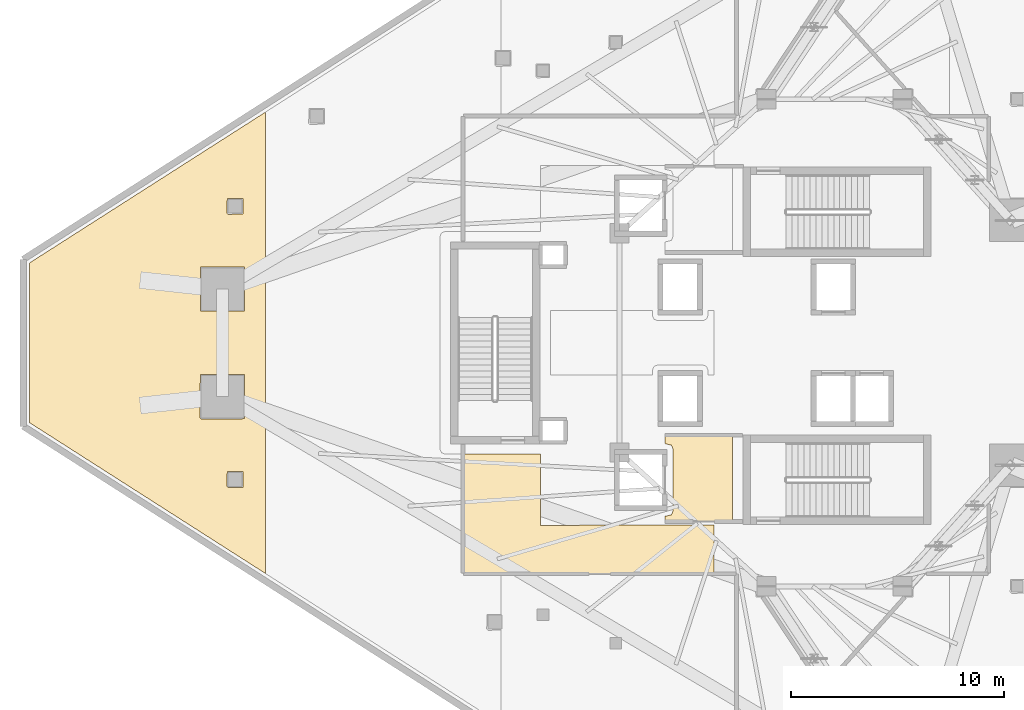
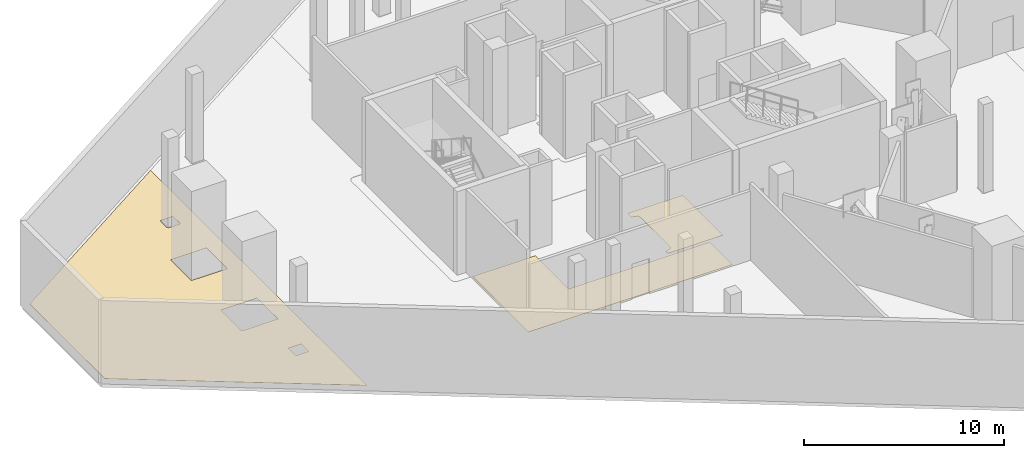
# One storey, part 7 of 13: 3 coverings.
"""IFC4 building model written with IfcOpenShell, lengths in metres."""

from ifc_helpers import new_model, si_unit, direction, frame, origin, place, context, subcontext, project, spatial, polyline, outline, extrude, material, layer, layer_set, type_object, element, save


model = new_model("IFC4")

# Units and contexts
model_context = context("Model", 3, precision=1e-05, world=origin(), true_north=direction((0.0, 1.0)))
body_context = subcontext(model_context, "Body", "Model", "MODEL_VIEW")
ifc_project = project(units=[si_unit("LENGTHUNIT", "METRE"), si_unit("AREAUNIT", "SQUARE_METRE"), si_unit("VOLUMEUNIT", "CUBIC_METRE"), si_unit("PLANEANGLEUNIT", "RADIAN"), si_unit("MASSUNIT", "GRAM", prefix="KILO")], contexts=[model_context])

# Site, building, storey
site_placement = place(None, origin())
site = spatial("IfcSite", under=ifc_project, at=site_placement, CompositionType="ELEMENT")
building_placement = place(site_placement, origin())
building = spatial("IfcBuilding", under=site, at=building_placement, Name="Qorvath Tower", CompositionType="ELEMENT")
storey_placement = place(building_placement, frame((0.0, 0.0, 174.60009765625)))
storey = spatial("IfcBuildingStorey", under=building, at=storey_placement, Name="L40", CompositionType="ELEMENT", Elevation=174.60009765625)

# Coverings
ifc_material_1 = material(Name="Low-VOC modular carpet tile", Category="textile")
ifc_layer_1 = layer(ifc_material_1, 0.014892578125)
ifc_layer_set_1 = layer_set([ifc_layer_1], Name="COV-FLOOR-CPT")
covering_type_1 = type_object("IfcCoveringType", Name="COV-FLOOR-CPT", PredefinedType="FLOORING", material=ifc_layer_set_1)
covering_1_placement = place(storey_placement, origin())
element("IfcCovering", 1, at=covering_1_placement, inside=storey, type_object=covering_type_1, Name="L40 Floor Finish 006", PredefinedType="FLOORING", context=body_context, shape_type="SweptSolid", body=[
    extrude(outline(polyline([(-47.16064453125, -10.8408203125), (-47.16064453125, 10.8408203125), (-58.23828125, 3.760498046875), (-58.23828125, -3.760498046875), (-47.16064453125, -10.8408203125)]), holes=[polyline([(-50.23193359375, -3.52783203125), (-50.21435546875, -1.4853515625), (-48.12939453125, -1.4853515625), (-48.12939453125, -3.5703125), (-50.171875, -3.587890625), (-50.23193359375, -3.52783203125)]), polyline([(-50.21435546875, 1.4853515625), (-50.21435546875, 3.5703125), (-48.12939453125, 3.5703125), (-48.12939453125, 1.4853515625), (-50.21435546875, 1.4853515625)]), polyline([(-48.96337890625, -6.74951171875), (-48.94580078125, -6.05712890625), (-48.2109375, -6.05712890625), (-48.2109375, -6.7919921875), (-48.9033203125, -6.8095703125), (-48.96337890625, -6.74951171875)]), polyline([(-48.96337890625, 6.099609375), (-48.94580078125, 6.7919921875), (-48.2109375, 6.7919921875), (-48.2109375, 6.05712890625), (-48.9033203125, 6.03955078125), (-48.96337890625, 6.099609375)])]), origin(), (0.0, 0.0, 1.0), 0.014892578125),
])
ifc_material_2 = material(Name="Polished epoxy terrazzo flooring", Category="concrete")
ifc_layer_2 = layer(ifc_material_2, 0.02001953125)
ifc_layer_set_2 = layer_set([ifc_layer_2], Name="COV-FLOOR-TRZ")
covering_type_2 = type_object("IfcCoveringType", Name="COV-FLOOR-TRZ", PredefinedType="FLOORING", material=ifc_layer_set_2)
covering_2_placement = place(storey_placement, origin())
element("IfcCovering", 2, at=covering_2_placement, inside=storey, type_object=covering_type_2, Name="L40 Floor Finish 002", PredefinedType="FLOORING", context=body_context, shape_type="SweptSolid", body=[
    extrude(outline(polyline([(-25.18994140625, -8.39501953125), (-25.18994140625, -4.35498046875), (-28.375, -4.35498046875), (-28.375, -4.739990234375), (-28.063232421875, -4.813232421875), (-27.989990234375, -4.989990234375), (-27.989990234375, -7.909912109375), (-28.063232421875, -8.086669921875), (-28.375, -8.159912109375), (-28.375, -8.39501953125), (-25.18994140625, -8.39501953125)])), origin(), (0.0, 0.0, 1.0), 0.014892578125),
])
covering_3_placement = place(storey_placement, origin())
element("IfcCovering", 3, at=covering_3_placement, inside=storey, type_object=covering_type_2, Name="L40 Floor Finish 003", PredefinedType="FLOORING", context=body_context, shape_type="SweptSolid", body=[
    extrude(outline(polyline([(-34.22509765625, -8.580078125), (-34.22509765625, -5.239990234375), (-37.844970703125, -5.239990234375), (-37.844970703125, -10.844970703125), (-26.06494140625, -10.844970703125), (-26.06494140625, -8.57470703125), (-34.22509765625, -8.580078125)])), origin(), (0.0, 0.0, 1.0), 0.014892578125),
])

save(model, "model.ifc")
